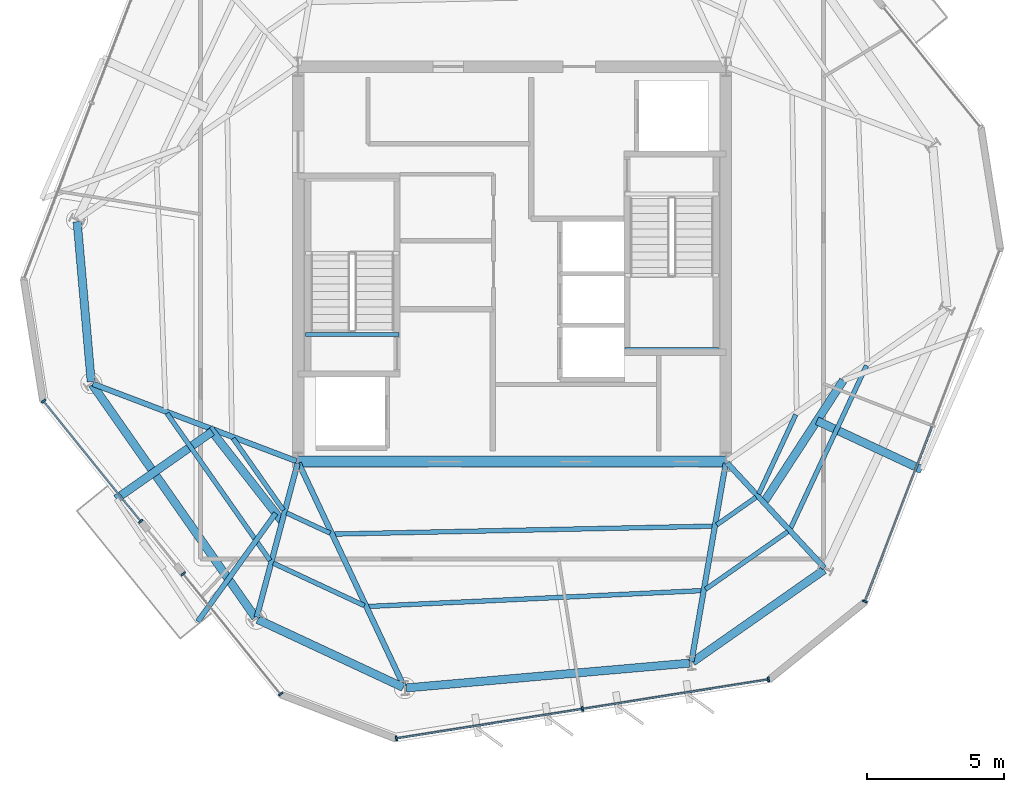
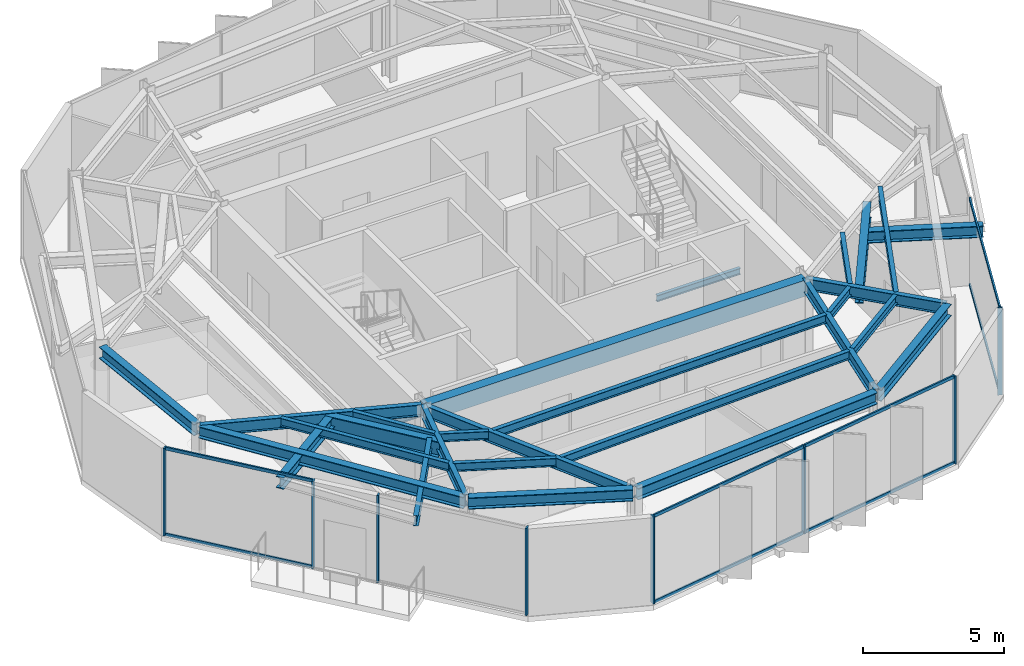
# One storey, part 2 of 10: 28 beams, 16 members, 4 elements without a shape of their own.
"""IFC4 building model written with IfcOpenShell, lengths in metres."""

from ifc_helpers import new_model, si_unit, direction, frame, origin, origin_2d, place, context, subcontext, project, spatial, rectangle, i_section, extrude, material, layer, layer_set, material_profile, profile_set, type_object, element, aggregate, save


model = new_model("IFC4")

# Units and contexts
model_context = context("Model", 3, precision=1e-05, world=origin(), true_north=direction((0.0, 1.0)))
body_context = subcontext(model_context, "Body", "Model", "MODEL_VIEW")
ifc_project = project(units=[si_unit("LENGTHUNIT", "METRE"), si_unit("AREAUNIT", "SQUARE_METRE"), si_unit("VOLUMEUNIT", "CUBIC_METRE"), si_unit("PLANEANGLEUNIT", "RADIAN"), si_unit("MASSUNIT", "GRAM", prefix="KILO")], contexts=[model_context])

# Site, building, storey
site_placement = place(None, origin())
site = spatial("IfcSite", under=ifc_project, at=site_placement, CompositionType="ELEMENT")
building_placement = place(site_placement, origin())
building = spatial("IfcBuilding", under=site, at=building_placement, Name="Kranzbogen Civic Tower", CompositionType="ELEMENT")
storey_placement = place(building_placement, frame((0.0, 0.0, 302.199951171875)))
storey = spatial("IfcBuildingStorey", under=building, at=storey_placement, Name="L73", CompositionType="ELEMENT", Elevation=302.199951171875)

# Beams
ifc_material_1 = material(Name="Steel S355", Category="steel")
ifc_material_profile_1 = material_profile(ifc_material_1, i_section(OverallWidth=0.18994140625, OverallDepth=0.449951171875, WebThickness=0.009521484375, FlangeThickness=0.0146484375, at=origin_2d()), Name="IPE 450")
ifc_profile_set_1 = profile_set([ifc_material_profile_1], Name="Steel S355")
beam_type_1 = type_object("IfcBeamType", Name="Braced Terrace Edge Beam IPE 450", PredefinedType="BEAM", material=ifc_profile_set_1)
beam_1_placement = place(storey_placement, frame((16.387939453125, 15.923095703125, 3.4951171875), z_axis=(-0.583767462041, -0.811920901481, 0.0), x_axis=(0.811920901481, -0.583767462041, 0.0)))
element("IfcBeam", 1, at=beam_1_placement, inside=storey, type_object=beam_type_1, Name="L74 back-spanned terrace beam L74-ST-2", PredefinedType="BEAM", context=body_context, shape_type="SweptSolid", body=[
    extrude(i_section(OverallWidth=0.18994140625, OverallDepth=0.449951171875, WebThickness=0.009521484375, FlangeThickness=0.0146484375, at=origin_2d()), origin(), (0.0, 0.0, 1.0), 4.861328125),
])
ifc_material_2 = material(Name="Concrete C40/50", Category="concrete")
ifc_material_profile_2 = material_profile(ifc_material_2, rectangle(XDim=0.39990234375, YDim=0.699951171875, at=origin_2d()), Name="RC-BM 400x700")
ifc_profile_set_2 = profile_set([ifc_material_profile_2], Name="Concrete C40/50")
beam_type_2 = type_object("IfcBeamType", Name="Core Coupling Lintel Beam 400x700", PredefinedType="LINTEL", material=ifc_profile_set_2)
beam_2_placement = place(storey_placement, frame((17.199951171875, 17.800048828125, 3.429931640625), z_axis=(1.0, 0.0, 0.0), x_axis=(0.0, 1.0, 0.0)))
element("IfcBeam", 2, at=beam_2_placement, inside=storey, type_object=beam_type_2, Name="L73 core South coupling lintel beam", PredefinedType="LINTEL", context=body_context, shape_type="SweptSolid", body=[
    extrude(rectangle(XDim=0.39990234375, YDim=0.699951171875, at=origin_2d()), origin(), (0.0, 0.0, 1.0), 15.60009765625),
])

# Curtain wall, members
ifc_material_3 = material(Name="Pale Anodised Aluminium", Category="aluminium")
ifc_layer = layer(ifc_material_3, 0.219970703125, Name="Pale Anodised Aluminium")
ifc_layer_set = layer_set([ifc_layer], Name="Pale Anodised Aluminium")
curtain_wall_type = type_object("IfcCurtainWallType", Name="Zone 4 Stick Curtain Wall System CW-05", PredefinedType="USERDEFINED", material=ifc_layer_set)
curtain_wall_1_placement = place(storey_placement, origin())
curtain_wall_1 = element("IfcCurtainWall", 3, at=curtain_wall_1_placement, inside=storey, type_object=curtain_wall_type, Name="L73 curtain wall CW-L73-F3-S1", ObjectType="STICK CURTAIN WALL", PredefinedType="USERDEFINED")
ifc_material_profile_3 = material_profile(ifc_material_3, rectangle(XDim=0.06494140625, YDim=0.179931640625, at=origin_2d()), Name="ALU-M 65x180")
ifc_profile_set_3 = profile_set([ifc_material_profile_3], Name="Pale Anodised Aluminium")
member_type_1 = type_object("IfcMemberType", Name="Curtain Wall Mullion ALU-M 65x180", PredefinedType="MULLION", material=ifc_profile_set_3)
member_1_placement = place(storey_placement, frame((7.9228515625, 20.0087890625, 0.0), z_axis=(0.0, 0.0, 1.0), x_axis=(0.62924367077, -0.777208082045, 0.0)))
member_1 = element("IfcMember", 4, at=member_1_placement, type_object=member_type_1, Name="CW-05 mullion 1", PredefinedType="MULLION", context=body_context, shape_type="SweptSolid", body=[
    extrude(rectangle(XDim=0.06494140625, YDim=0.179931640625, at=origin_2d()), origin(), (0.0, 0.0, 1.0), 3.780029296875),
])
member_2_placement = place(storey_placement, frame((11.47021484375, 15.627197265625, 0.0), z_axis=(0.0, 0.0, 1.0), x_axis=(0.62924367077, -0.777208082045, 0.0)))
member_2 = element("IfcMember", 5, at=member_2_placement, type_object=member_type_1, Name="CW-05 mullion 2", PredefinedType="MULLION", context=body_context, shape_type="SweptSolid", body=[
    extrude(rectangle(XDim=0.06494140625, YDim=0.179931640625, at=origin_2d()), origin(), (0.0, 0.0, 1.0), 3.780029296875),
])

curtain_wall_2_placement = place(storey_placement, origin())
curtain_wall_2 = element("IfcCurtainWall", 6, at=curtain_wall_2_placement, inside=storey, type_object=curtain_wall_type, Name="L73 curtain wall CW-L73-F3-S2", ObjectType="STICK CURTAIN WALL", PredefinedType="USERDEFINED")
member_3_placement = place(storey_placement, frame((13.018798828125, 13.715576171875, 0.0), z_axis=(0.0, 0.0, 1.0), x_axis=(0.62926385036, -0.777191743799, 0.0)))
member_3 = element("IfcMember", 7, at=member_3_placement, type_object=member_type_1, Name="CW-05 mullion 1", PredefinedType="MULLION", context=body_context, shape_type="SweptSolid", body=[
    extrude(rectangle(XDim=0.06494140625, YDim=0.179931640625, at=origin_2d()), origin(), (0.0, 0.0, 1.0), 3.780029296875),
])
member_4_placement = place(storey_placement, frame((16.567138671875, 9.333251953125, 0.0), z_axis=(0.0, 0.0, 1.0), x_axis=(0.62926385036, -0.777191743799, 0.0)))
member_4 = element("IfcMember", 8, at=member_4_placement, type_object=member_type_1, Name="CW-05 mullion 2", PredefinedType="MULLION", context=body_context, shape_type="SweptSolid", body=[
    extrude(rectangle(XDim=0.06494140625, YDim=0.179931640625, at=origin_2d()), origin(), (0.0, 0.0, 1.0), 3.780029296875),
])
aggregate(curtain_wall_2, [member_3, member_4])

curtain_wall_3_placement = place(storey_placement, origin())
curtain_wall_3 = element("IfcCurtainWall", 9, at=curtain_wall_3_placement, inside=storey, type_object=curtain_wall_type, Name="L73 curtain wall CW-L73-F4", ObjectType="STICK CURTAIN WALL", PredefinedType="USERDEFINED")
member_5_placement = place(storey_placement, frame((20.78369140625, 7.715576171875, 0.0), z_axis=(0.0, 0.0, 1.0), x_axis=(0.987689979988, 0.156424113968, 0.0)))
member_5 = element("IfcMember", 10, at=member_5_placement, type_object=member_type_1, Name="CW-05 mullion 1", PredefinedType="MULLION", context=body_context, shape_type="SweptSolid", body=[
    extrude(rectangle(XDim=0.06494140625, YDim=0.179931640625, at=origin_2d()), origin(), (0.0, 0.0, 1.0), 3.780029296875),
])
member_6_placement = place(storey_placement, frame((27.56689453125, 8.7900390625, 0.0), z_axis=(0.0, 0.0, 1.0), x_axis=(0.987689979988, 0.156424113968, 0.0)))
member_6 = element("IfcMember", 11, at=member_6_placement, type_object=member_type_1, Name="CW-05 mullion 2", PredefinedType="MULLION", context=body_context, shape_type="SweptSolid", body=[
    extrude(rectangle(XDim=0.06494140625, YDim=0.179931640625, at=origin_2d()), origin(), (0.0, 0.0, 1.0), 3.780029296875),
])
member_7_placement = place(storey_placement, frame((34.350341796875, 9.8642578125, 0.0), z_axis=(0.0, 0.0, 1.0), x_axis=(0.987689979988, 0.156424113968, 0.0)))
member_7 = element("IfcMember", 12, at=member_7_placement, type_object=member_type_1, Name="CW-05 mullion 3", PredefinedType="MULLION", context=body_context, shape_type="SweptSolid", body=[
    extrude(rectangle(XDim=0.06494140625, YDim=0.179931640625, at=origin_2d()), origin(), (0.0, 0.0, 1.0), 3.780029296875),
])

# Curtain wall, member
curtain_wall_4_placement = place(storey_placement, origin())
curtain_wall_4 = element("IfcCurtainWall", 13, at=curtain_wall_4_placement, inside=storey, type_object=curtain_wall_type, Name="L73 curtain wall CW-L73-F5", ObjectType="STICK CURTAIN WALL", PredefinedType="USERDEFINED")
member_8_placement = place(storey_placement, frame((37.86083984375, 12.70703125, 0.0), z_axis=(0.0, 0.0, 1.0), x_axis=(0.358381538796, 0.933575209959, 0.0)))
member_8 = element("IfcMember", 14, at=member_8_placement, type_object=member_type_1, Name="CW-05 mullion 1", PredefinedType="MULLION", context=body_context, shape_type="SweptSolid", body=[
    extrude(rectangle(XDim=0.06494140625, YDim=0.179931640625, at=origin_2d()), origin(), (0.0, 0.0, 1.0), 3.780029296875),
])

# Member
ifc_material_profile_4 = material_profile(ifc_material_3, rectangle(XDim=0.06494140625, YDim=0.135009765625, at=origin_2d()), Name="ALU-T 65x135")
ifc_profile_set_4 = profile_set([ifc_material_profile_4], Name="Pale Anodised Aluminium")
member_type_2 = type_object("IfcMemberType", Name="Curtain Wall Transom ALU-T 65x135", PredefinedType="USERDEFINED", material=ifc_profile_set_4)
member_9_placement = place(storey_placement, frame((7.941650390625, 19.9853515625, 0.030029296875), z_axis=(0.629248597217, -0.777204093466, 0.0), x_axis=(0.777204093466, 0.629248597217, 0.0)))
member_9 = element("IfcMember", 15, at=member_9_placement, type_object=member_type_2, Name="CW-05 transom 1.1", ObjectType="TRANSOM", PredefinedType="USERDEFINED", context=body_context, shape_type="SweptSolid", body=[
    extrude(rectangle(XDim=0.06494140625, YDim=0.135009765625, at=origin_2d()), origin(), (0.0, 0.0, 1.0), 5.577392578125),
])

member_10_placement = place(storey_placement, frame((7.941650390625, 19.9853515625, 3.75), z_axis=(0.629248597217, -0.777204093466, 0.0), x_axis=(0.777204093466, 0.629248597217, 0.0)))
member_10 = element("IfcMember", 16, at=member_10_placement, type_object=member_type_2, Name="CW-05 transom 1.2", ObjectType="TRANSOM", PredefinedType="USERDEFINED", context=body_context, shape_type="SweptSolid", body=[
    extrude(rectangle(XDim=0.06494140625, YDim=0.135009765625, at=origin_2d()), origin(), (0.0, 0.0, 1.0), 5.577392578125),
])

aggregate(curtain_wall_1, [member_1, member_2, member_9, member_10])

member_11_placement = place(storey_placement, frame((20.813232421875, 7.720458984375, 0.030029296875), z_axis=(0.987689583132, 0.156426619767, 0.0), x_axis=(-0.156426619767, 0.987689583132, 0.0)))
member_11 = element("IfcMember", 17, at=member_11_placement, type_object=member_type_2, Name="CW-05 transom 1.1", ObjectType="TRANSOM", PredefinedType="USERDEFINED", context=body_context, shape_type="SweptSolid", body=[
    extrude(rectangle(XDim=0.06494140625, YDim=0.135009765625, at=origin_2d()), origin(), (0.0, 0.0, 1.0), 6.807861328125),
])

member_12_placement = place(storey_placement, frame((20.813232421875, 7.720458984375, 3.75), z_axis=(0.987689583132, 0.156426619767, 0.0), x_axis=(-0.156426619767, 0.987689583132, 0.0)))
member_12 = element("IfcMember", 18, at=member_12_placement, type_object=member_type_2, Name="CW-05 transom 1.2", ObjectType="TRANSOM", PredefinedType="USERDEFINED", context=body_context, shape_type="SweptSolid", body=[
    extrude(rectangle(XDim=0.06494140625, YDim=0.135009765625, at=origin_2d()), origin(), (0.0, 0.0, 1.0), 6.807861328125),
])

member_13_placement = place(storey_placement, frame((27.5966796875, 8.794677734375, 0.030029296875), z_axis=(0.987689583132, 0.156426619767, 0.0), x_axis=(-0.156426619767, 0.987689583132, 0.0)))
member_13 = element("IfcMember", 19, at=member_13_placement, type_object=member_type_2, Name="CW-05 transom 2.1", ObjectType="TRANSOM", PredefinedType="USERDEFINED", context=body_context, shape_type="SweptSolid", body=[
    extrude(rectangle(XDim=0.06494140625, YDim=0.135009765625, at=origin_2d()), origin(), (0.0, 0.0, 1.0), 6.807861328125),
])

member_14_placement = place(storey_placement, frame((27.5966796875, 8.794677734375, 3.75), z_axis=(0.987689583132, 0.156426619767, 0.0), x_axis=(-0.156426619767, 0.987689583132, 0.0)))
member_14 = element("IfcMember", 20, at=member_14_placement, type_object=member_type_2, Name="CW-05 transom 2.2", ObjectType="TRANSOM", PredefinedType="USERDEFINED", context=body_context, shape_type="SweptSolid", body=[
    extrude(rectangle(XDim=0.06494140625, YDim=0.135009765625, at=origin_2d()), origin(), (0.0, 0.0, 1.0), 6.807861328125),
])

aggregate(curtain_wall_3, [member_5, member_6, member_7, member_11, member_12, member_13, member_14])

member_15_placement = place(storey_placement, frame((37.87158203125, 12.735107421875, 0.030029296875), z_axis=(0.358375808773, 0.933577409584, 0.0), x_axis=(-0.933577409584, 0.358375808773, 0.0)))
member_15 = element("IfcMember", 21, at=member_15_placement, type_object=member_type_2, Name="CW-05 transom 1.1", ObjectType="TRANSOM", PredefinedType="USERDEFINED", context=body_context, shape_type="SweptSolid", body=[
    extrude(rectangle(XDim=0.06494140625, YDim=0.135009765625, at=origin_2d()), origin(), (0.0, 0.0, 1.0), 6.8076171875),
])

member_16_placement = place(storey_placement, frame((37.87158203125, 12.735107421875, 3.75), z_axis=(0.358375808773, 0.933577409584, 0.0), x_axis=(-0.933577409584, 0.358375808773, 0.0)))
member_16 = element("IfcMember", 22, at=member_16_placement, type_object=member_type_2, Name="CW-05 transom 1.2", ObjectType="TRANSOM", PredefinedType="USERDEFINED", context=body_context, shape_type="SweptSolid", body=[
    extrude(rectangle(XDim=0.06494140625, YDim=0.135009765625, at=origin_2d()), origin(), (0.0, 0.0, 1.0), 6.8076171875),
])

aggregate(curtain_wall_4, [member_8, member_15, member_16])

# Beams
ifc_material_profile_5 = material_profile(ifc_material_1, i_section(OverallWidth=0.300048828125, OverallDepth=0.5, WebThickness=0.014404296875, FlangeThickness=0.028076171875, at=origin_2d()), Name="HEB 500")
ifc_profile_set_5 = profile_set([ifc_material_profile_5], Name="Steel S355")
beam_type_3 = type_object("IfcBeamType", Name="Perimeter Tube Spandrel Beam HEB 500", PredefinedType="SPANDREL", material=ifc_profile_set_5)
beam_3_placement = place(storey_placement, frame((9.699951171875, 20.612060546875, 3.530029296875), z_axis=(0.573577759301, -0.819151117948, 0.0), x_axis=(0.819151117948, 0.573577759301, 0.0)))
element("IfcBeam", 23, at=beam_3_placement, inside=storey, type_object=beam_type_3, Name="L73 perimeter spandrel beam 01", PredefinedType="SPANDREL", context=body_context, shape_type="SweptSolid", body=[
    extrude(i_section(OverallWidth=0.300048828125, OverallDepth=0.5, WebThickness=0.014404296875, FlangeThickness=0.028076171875, at=origin_2d()), origin(), (0.0, 0.0, 1.0), 10.36328125),
])
beam_4_placement = place(storey_placement, frame((15.73193359375, 12.049072265625, 3.530029296875), z_axis=(0.906289661556, -0.422657129784, 0.0), x_axis=(0.422657129784, 0.906289661556, 0.0)))
element("IfcBeam", 24, at=beam_4_placement, inside=storey, type_object=beam_type_3, Name="L73 perimeter spandrel beam 02", PredefinedType="SPANDREL", context=body_context, shape_type="SweptSolid", body=[
    extrude(i_section(OverallWidth=0.300048828125, OverallDepth=0.5, WebThickness=0.014404296875, FlangeThickness=0.028076171875, at=origin_2d()), origin(), (0.0, 0.0, 1.0), 5.853759765625),
])
beam_5_placement = place(storey_placement, frame((21.15087890625, 9.554931640625, 3.530029296875), z_axis=(0.996186373839, 0.087250837114, 0.0), x_axis=(-0.087250837114, 0.996186373839, 0.0)))
element("IfcBeam", 25, at=beam_5_placement, inside=storey, type_object=beam_type_3, Name="L73 perimeter spandrel beam 03", PredefinedType="SPANDREL", context=body_context, shape_type="SweptSolid", body=[
    extrude(i_section(OverallWidth=0.300048828125, OverallDepth=0.5, WebThickness=0.014404296875, FlangeThickness=0.028076171875, at=origin_2d()), origin(), (0.0, 0.0, 1.0), 10.361572265625),
])
beam_6_placement = place(storey_placement, frame((31.58203125, 10.498046875, 3.530029296875), z_axis=(0.819059436004, 0.57370867197, 0.0), x_axis=(-0.57370867197, 0.819059436004, 0.0)))
element("IfcBeam", 26, at=beam_6_placement, inside=storey, type_object=beam_type_3, Name="L73 perimeter spandrel beam 04", PredefinedType="SPANDREL", context=body_context, shape_type="SweptSolid", body=[
    extrude(i_section(OverallWidth=0.300048828125, OverallDepth=0.5, WebThickness=0.014404296875, FlangeThickness=0.028076171875, at=origin_2d()), origin(), (0.0, 0.0, 1.0), 5.85302734375),
])
beam_7_placement = place(storey_placement, frame((9.14990234375, 26.550048828125, 3.530029296875), z_axis=(0.087326362434, -0.99617975608, 0.0), x_axis=(0.99617975608, 0.087326362434, 0.0)))
element("IfcBeam", 27, at=beam_7_placement, inside=storey, type_object=beam_type_3, Name="L73 perimeter spandrel beam 12", PredefinedType="SPANDREL", context=body_context, shape_type="SweptSolid", body=[
    extrude(i_section(OverallWidth=0.300048828125, OverallDepth=0.5, WebThickness=0.014404296875, FlangeThickness=0.028076171875, at=origin_2d()), origin(), (0.0, 0.0, 1.0), 5.8515625),
])
beam_8_placement = place(storey_placement, frame((36.116943359375, 19.29296875, 3.5), z_axis=(0.906289624809, -0.42265720858, 0.0), x_axis=(0.42265720858, 0.906289624809, 0.0)))
element("IfcBeam", 28, at=beam_8_placement, inside=storey, type_object=beam_type_3, Name="L74 back-spanned terrace beam L74-TB2-1", PredefinedType="SPANDREL", context=body_context, shape_type="SweptSolid", body=[
    extrude(i_section(OverallWidth=0.300048828125, OverallDepth=0.5, WebThickness=0.014404296875, FlangeThickness=0.028076171875, at=origin_2d()), origin(), (0.0, 0.0, 1.0), 4.216064453125),
])
beam_9_placement = place(storey_placement, frame((14.070068359375, 18.89501953125, 3.469970703125), z_axis=(-0.819226546683, -0.573470021195, 0.0), x_axis=(0.573470021195, -0.819226546683, 0.0)))
element("IfcBeam", 29, at=beam_9_placement, inside=storey, type_object=beam_type_3, Name="L74 back-spanned terrace beam L74-ST-1", PredefinedType="SPANDREL", context=body_context, shape_type="SweptSolid", body=[
    extrude(i_section(OverallWidth=0.300048828125, OverallDepth=0.5, WebThickness=0.014404296875, FlangeThickness=0.028076171875, at=origin_2d()), origin(), (0.0, 0.0, 1.0), 4.268798828125),
])
ifc_material_profile_6 = material_profile(ifc_material_1, i_section(OverallWidth=0.300048828125, OverallDepth=0.699951171875, WebThickness=0.01708984375, FlangeThickness=0.031982421875, at=origin_2d()), Name="HEB 700")
ifc_profile_set_6 = profile_set([ifc_material_profile_6], Name="Steel S355")
beam_type_4 = type_object("IfcBeamType", Name="Perimeter Tube Spandrel Beam HEB 700", PredefinedType="SPANDREL", material=ifc_profile_set_6)
beam_10_placement = place(storey_placement, frame((34.177001953125, 16.31396484375, 3.400146484375), z_axis=(0.54556961734, 0.838065506172, 0.0), x_axis=(-0.838065506172, 0.54556961734, 0.0)))
element("IfcBeam", 30, at=beam_10_placement, inside=storey, type_object=beam_type_4, Name="L74 balcony back-span header girder L74-TB2", PredefinedType="SPANDREL", context=body_context, shape_type="SweptSolid", body=[
    extrude(i_section(OverallWidth=0.300048828125, OverallDepth=0.699951171875, WebThickness=0.01708984375, FlangeThickness=0.031982421875, at=origin_2d()), origin(), (0.0, 0.0, 1.0), 5.3134765625),
])
beam_11_placement = place(storey_placement, frame((13.966064453125, 19.028076171875, 3.3701171875), z_axis=(0.615153431403, -0.788407417414, 0.0), x_axis=(0.788407417414, 0.615153431403, 0.0)))
element("IfcBeam", 31, at=beam_11_placement, inside=storey, type_object=beam_type_4, Name="L74 balcony back-span header girder L74-ST", PredefinedType="SPANDREL", context=body_context, shape_type="SweptSolid", body=[
    extrude(i_section(OverallWidth=0.300048828125, OverallDepth=0.699951171875, WebThickness=0.01708984375, FlangeThickness=0.031982421875, at=origin_2d()), origin(), (0.0, 0.0, 1.0), 4.317626953125),
])
ifc_material_profile_7 = material_profile(ifc_material_1, i_section(OverallWidth=0.199951171875, OverallDepth=0.5, WebThickness=0.01025390625, FlangeThickness=0.01611328125, at=origin_2d()), Name="IPE 500")
ifc_profile_set_7 = profile_set([ifc_material_profile_7], Name="Steel S355")
beam_type_5 = type_object("IfcBeamType", Name="Radial Tower Floor Girder IPE 500", PredefinedType="BEAM", material=ifc_profile_set_7)
beam_12_placement = place(storey_placement, frame((9.721923828125, 20.639892578125, 3.530029296875), z_axis=(0.934848709689, -0.355046320913, 0.0), x_axis=(0.355046320913, 0.934848709689, 0.0)))
element("IfcBeam", 32, at=beam_12_placement, inside=storey, type_object=beam_type_5, Name="L73 radial floor girder 01", PredefinedType="BEAM", context=body_context, shape_type="SweptSolid", body=[
    extrude(i_section(OverallWidth=0.199951171875, OverallDepth=0.5, WebThickness=0.01025390625, FlangeThickness=0.01611328125, at=origin_2d()), origin(), (0.0, 0.0, 1.0), 7.939453125),
])
beam_13_placement = place(storey_placement, frame((15.693115234375, 12.132080078125, 3.530029296875), z_axis=(0.257016017622, 0.966407143333, 0.0), x_axis=(-0.966407143333, 0.257016017622, 0.0)))
element("IfcBeam", 33, at=beam_13_placement, inside=storey, type_object=beam_type_5, Name="L73 radial floor girder 02", PredefinedType="BEAM", context=body_context, shape_type="SweptSolid", body=[
    extrude(i_section(OverallWidth=0.199951171875, OverallDepth=0.5, WebThickness=0.01025390625, FlangeThickness=0.01611328125, at=origin_2d()), origin(), (0.0, 0.0, 1.0), 5.804931640625),
])
beam_14_placement = place(storey_placement, frame((21.06494140625, 9.60400390625, 3.530029296875), z_axis=(-0.426460441273, 0.904506214478, 0.0), x_axis=(-0.904506214478, -0.426460441273, 0.0)))
element("IfcBeam", 34, at=beam_14_placement, inside=storey, type_object=beam_type_5, Name="L73 radial floor girder 03", PredefinedType="BEAM", context=body_context, shape_type="SweptSolid", body=[
    extrude(i_section(OverallWidth=0.199951171875, OverallDepth=0.5, WebThickness=0.01025390625, FlangeThickness=0.01611328125, at=origin_2d()), origin(), (0.0, 0.0, 1.0), 9.001708984375),
])
beam_15_placement = place(storey_placement, frame((31.54296875, 10.52294921875, 3.530029296875), z_axis=(0.170249558486, 0.985400978199, 0.0), x_axis=(-0.985400978199, 0.170249558486, 0.0)))
element("IfcBeam", 35, at=beam_15_placement, inside=storey, type_object=beam_type_5, Name="L73 radial floor girder 04", PredefinedType="BEAM", context=body_context, shape_type="SweptSolid", body=[
    extrude(i_section(OverallWidth=0.199951171875, OverallDepth=0.5, WebThickness=0.01025390625, FlangeThickness=0.01611328125, at=origin_2d()), origin(), (0.0, 0.0, 1.0), 7.324951171875),
])
beam_16_placement = place(storey_placement, frame((36.384033203125, 13.93408203125, 3.530029296875), z_axis=(-0.679827353702, 0.733372190064, 0.0), x_axis=(-0.733372190064, -0.679827353702, 0.0)))
element("IfcBeam", 36, at=beam_16_placement, inside=storey, type_object=beam_type_5, Name="L73 radial floor girder 05", PredefinedType="BEAM", context=body_context, shape_type="SweptSolid", body=[
    extrude(i_section(OverallWidth=0.199951171875, OverallDepth=0.5, WebThickness=0.01025390625, FlangeThickness=0.01611328125, at=origin_2d()), origin(), (0.0, 0.0, 1.0), 5.211669921875),
])
ifc_material_profile_8 = material_profile(ifc_material_1, i_section(OverallWidth=0.169921875, OverallDepth=0.360107421875, WebThickness=0.008056640625, FlangeThickness=0.0126953125, at=origin_2d()), Name="IPE 360")
ifc_profile_set_8 = profile_set([ifc_material_profile_8], Name="Steel S355")
beam_type_6 = type_object("IfcBeamType", Name="Secondary Composite Floor Joist IPE 360", PredefinedType="JOIST", material=ifc_profile_set_8)
beam_17_placement = place(storey_placement, frame((12.424072265625, 19.56591796875, 3.60009765625), z_axis=(0.573499872939, -0.819205649235, 0.0), x_axis=(0.819205649235, 0.573499872939, 0.0)))
element("IfcBeam", 37, at=beam_17_placement, inside=storey, type_object=beam_type_6, Name="L73 secondary floor joist 1.01", PredefinedType="JOIST", context=body_context, shape_type="SweptSolid", body=[
    extrude(i_section(OverallWidth=0.169921875, OverallDepth=0.360107421875, WebThickness=0.008056640625, FlangeThickness=0.0126953125, at=origin_2d()), origin(), (0.0, 0.0, 1.0), 6.549072265625),
])
beam_18_placement = place(storey_placement, frame((14.8349609375, 18.64990234375, 3.60009765625), z_axis=(0.573498248491, -0.819206786457, 0.0), x_axis=(0.819206786457, 0.573498248491, 0.0)))
element("IfcBeam", 38, at=beam_18_placement, inside=storey, type_object=beam_type_6, Name="L73 secondary floor joist 2.01", PredefinedType="JOIST", context=body_context, shape_type="SweptSolid", body=[
    extrude(i_section(OverallWidth=0.169921875, OverallDepth=0.360107421875, WebThickness=0.008056640625, FlangeThickness=0.0126953125, at=origin_2d()), origin(), (0.0, 0.0, 1.0), 3.194580078125),
])
beam_19_placement = place(storey_placement, frame((16.298095703125, 14.10205078125, 3.60009765625), z_axis=(0.906303996948, -0.422626389517, 0.0), x_axis=(0.422626389517, 0.906303996948, 0.0)))
element("IfcBeam", 39, at=beam_19_placement, inside=storey, type_object=beam_type_6, Name="L73 secondary floor joist 1.02", PredefinedType="JOIST", context=body_context, shape_type="SweptSolid", body=[
    extrude(i_section(OverallWidth=0.169921875, OverallDepth=0.360107421875, WebThickness=0.008056640625, FlangeThickness=0.0126953125, at=origin_2d()), origin(), (0.0, 0.0, 1.0), 3.6630859375),
])
beam_20_placement = place(storey_placement, frame((16.784912109375, 15.93408203125, 3.60009765625), z_axis=(0.906432174342, -0.422351409751, 0.0), x_axis=(0.422351409751, 0.906432174342, 0.0)))
element("IfcBeam", 40, at=beam_20_placement, inside=storey, type_object=beam_type_6, Name="L73 secondary floor joist 2.02", PredefinedType="JOIST", context=body_context, shape_type="SweptSolid", body=[
    extrude(i_section(OverallWidth=0.169921875, OverallDepth=0.360107421875, WebThickness=0.008056640625, FlangeThickness=0.0126953125, at=origin_2d()), origin(), (0.0, 0.0, 1.0), 1.751953125),
])
beam_21_placement = place(storey_placement, frame((19.77001953125, 12.52392578125, 3.60009765625), z_axis=(0.998871634781, 0.047491654324, 0.0), x_axis=(-0.047491654324, 0.998871634781, 0.0)))
element("IfcBeam", 41, at=beam_21_placement, inside=storey, type_object=beam_type_6, Name="L73 secondary floor joist 1.03", PredefinedType="JOIST", context=body_context, shape_type="SweptSolid", body=[
    extrude(i_section(OverallWidth=0.169921875, OverallDepth=0.360107421875, WebThickness=0.008056640625, FlangeThickness=0.0126953125, at=origin_2d()), origin(), (0.0, 0.0, 1.0), 12.152587890625),
])
beam_22_placement = place(storey_placement, frame((18.52490234375, 15.162109375, 3.60009765625), z_axis=(0.999780746893, 0.020939392104, 0.0), x_axis=(-0.020939392104, 0.999780746893, 0.0)))
element("IfcBeam", 42, at=beam_22_placement, inside=storey, type_object=beam_type_6, Name="L73 secondary floor joist 2.03", PredefinedType="JOIST", context=body_context, shape_type="SweptSolid", body=[
    extrude(i_section(OverallWidth=0.169921875, OverallDepth=0.360107421875, WebThickness=0.008056640625, FlangeThickness=0.0126953125, at=origin_2d()), origin(), (0.0, 0.0, 1.0), 13.79296875),
])
beam_23_placement = place(storey_placement, frame((32.054931640625, 13.15087890625, 3.60009765625), z_axis=(0.819006333711, 0.573784476385, 0.0), x_axis=(-0.573784476385, 0.819006333711, 0.0)))
element("IfcBeam", 43, at=beam_23_placement, inside=storey, type_object=beam_type_6, Name="L73 secondary floor joist 1.04", PredefinedType="JOIST", context=body_context, shape_type="SweptSolid", body=[
    extrude(i_section(OverallWidth=0.169921875, OverallDepth=0.360107421875, WebThickness=0.008056640625, FlangeThickness=0.0126953125, at=origin_2d()), origin(), (0.0, 0.0, 1.0), 3.661865234375),
])
beam_24_placement = place(storey_placement, frame((32.4599609375, 15.498046875, 3.60009765625), z_axis=(0.818956727849, 0.573855276103, 0.0), x_axis=(-0.573855276103, 0.818956727849, 0.0)))
element("IfcBeam", 44, at=beam_24_placement, inside=storey, type_object=beam_type_6, Name="L73 secondary floor joist 2.04", PredefinedType="JOIST", context=body_context, shape_type="SweptSolid", body=[
    extrude(i_section(OverallWidth=0.169921875, OverallDepth=0.360107421875, WebThickness=0.008056640625, FlangeThickness=0.0126953125, at=origin_2d()), origin(), (0.0, 0.0, 1.0), 1.751220703125),
])
beam_25_placement = place(storey_placement, frame((35.154052734375, 15.3701171875, 3.60009765625), z_axis=(0.422542528713, 0.906343098075, 0.0), x_axis=(-0.906343098075, 0.422542528713, 0.0)))
element("IfcBeam", 45, at=beam_25_placement, inside=storey, type_object=beam_type_6, Name="L73 secondary floor joist 1.05", PredefinedType="JOIST", context=body_context, shape_type="SweptSolid", body=[
    extrude(i_section(OverallWidth=0.169921875, OverallDepth=0.360107421875, WebThickness=0.008056640625, FlangeThickness=0.0126953125, at=origin_2d()), origin(), (0.0, 0.0, 1.0), 6.548095703125),
])
beam_26_placement = place(storey_placement, frame((33.993896484375, 16.62109375, 3.60009765625), z_axis=(0.422651143991, 0.906292453065, 0.0), x_axis=(-0.906292453065, 0.422651143991, 0.0)))
element("IfcBeam", 46, at=beam_26_placement, inside=storey, type_object=beam_type_6, Name="L73 secondary floor joist 2.05", PredefinedType="JOIST", context=body_context, shape_type="SweptSolid", body=[
    extrude(i_section(OverallWidth=0.169921875, OverallDepth=0.360107421875, WebThickness=0.008056640625, FlangeThickness=0.0126953125, at=origin_2d()), origin(), (0.0, 0.0, 1.0), 3.1943359375),
])
ifc_material_profile_9 = material_profile(ifc_material_1, i_section(OverallWidth=0.135009765625, OverallDepth=0.27001953125, WebThickness=0.006591796875, FlangeThickness=0.01025390625, at=origin_2d()), Name="IPE 270")
ifc_profile_set_9 = profile_set([ifc_material_profile_9], Name="Steel S355")
beam_type_7 = type_object("IfcBeamType", Name="Stair Landing Support Beam IPE 270", PredefinedType="JOIST", material=ifc_profile_set_9)
for number, where, z_axis, x_axis, name in (
    (47, (20.8798828125, 22.43994140625, -0.35498046875), (-1.0, 0.0, 0.0), (0.0, -1.0, 0.0), "L73 ST-T1 stair floor header beam"),
    (48, (29.1201171875, 21.89990234375, 1.6650390625), (1.0, 0.0, 0.0), (0.0, 1.0, 0.0), "L73 ST-T2 landing support beam 1.2"),
):
    element("IfcBeam", number, at=place(storey_placement, frame(where, z_axis=z_axis, x_axis=x_axis)), inside=storey, type_object=beam_type_7, Name=name, PredefinedType="JOIST", context=body_context, shape_type="SweptSolid", body=[
        extrude(i_section(OverallWidth=0.135009765625, OverallDepth=0.27001953125, WebThickness=0.006591796875, FlangeThickness=0.01025390625, at=origin_2d()), origin(), (0.0, 0.0, 1.0), 3.409912109375),
    ])

save(model, "model.ifc")
